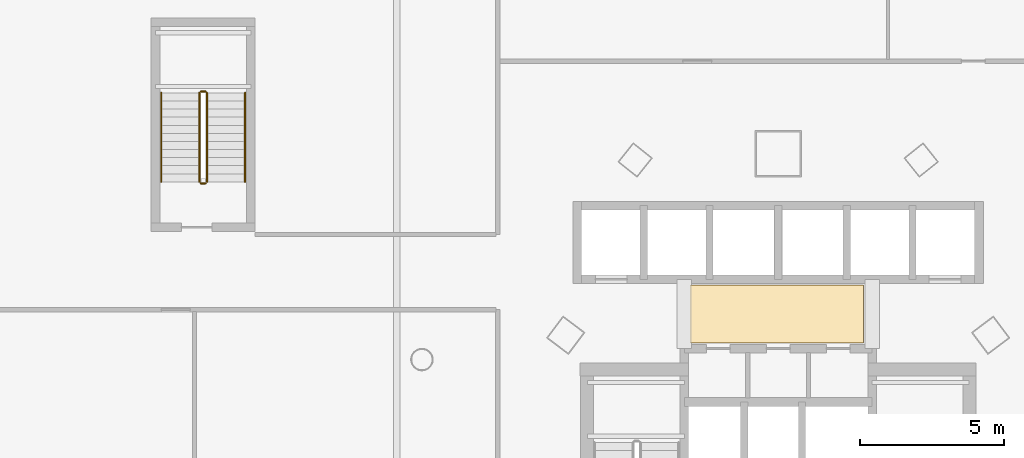
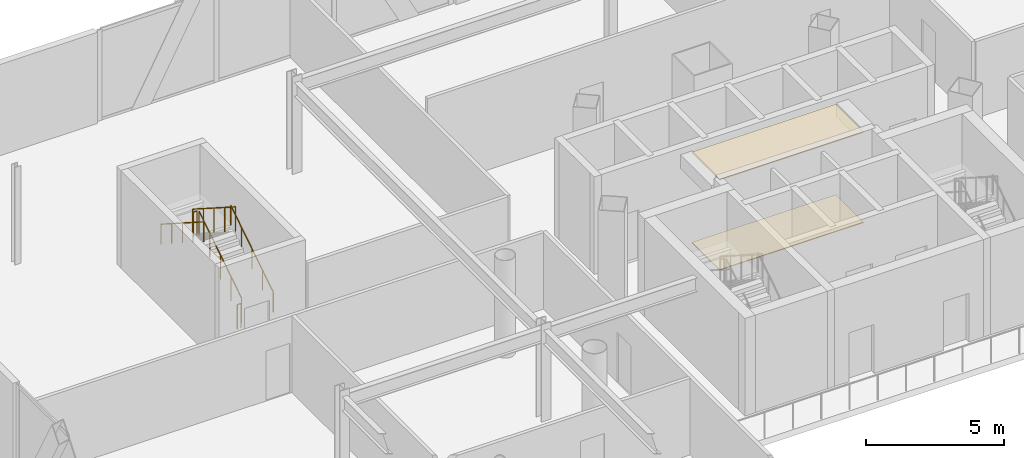
# One storey, part 40 of 42: 6 railings, 2 coverings.
"""IFC4 building model written with IfcOpenShell, lengths in metres."""

from ifc_helpers import new_model, si_unit, direction, frame, origin, origin_2d, place, context, subcontext, project, spatial, polyline, circle, outline, extrude, material, layer, layer_set, type_object, element, save


model = new_model("IFC4")

# Units and contexts
model_context = context("Model", 3, precision=1e-05, world=origin(), true_north=direction((0.0, 1.0)))
body_context = subcontext(model_context, "Body", "Model", "MODEL_VIEW")
ifc_project = project(units=[si_unit("LENGTHUNIT", "METRE"), si_unit("AREAUNIT", "SQUARE_METRE"), si_unit("VOLUMEUNIT", "CUBIC_METRE"), si_unit("PLANEANGLEUNIT", "RADIAN"), si_unit("MASSUNIT", "GRAM", prefix="KILO")], contexts=[model_context])

# Site, building, storey
site_placement = place(None, origin())
site = spatial("IfcSite", under=ifc_project, at=site_placement, CompositionType="ELEMENT")
building_placement = place(site_placement, origin())
building = spatial("IfcBuilding", under=site, at=building_placement, Name="Orvanel Arch Residences", CompositionType="ELEMENT")
storey_placement = place(building_placement, frame((0.0, 0.0, 9.800048828125)))
storey = spatial("IfcBuildingStorey", under=building, at=storey_placement, Name="L02", CompositionType="ELEMENT", Elevation=9.800048828125)

# Coverings
ifc_material_1 = material(Name="Perforated acoustic mineral-fibre ceiling tile", Category="gypsum")
ifc_layer_1 = layer(ifc_material_1, 0.050048828125)
ifc_layer_set_1 = layer_set([ifc_layer_1], Name="Perforated acoustic mineral-fibre ceiling tile")
covering_type_1 = type_object("IfcCoveringType", Name="COV-CLG-ACS50", PredefinedType="CEILING", material=ifc_layer_set_1)
covering_1_placement = place(storey_placement, frame((0.0, 0.0, 3.969970703125)))
element("IfcCovering", 1, at=covering_1_placement, inside=storey, type_object=covering_type_1, Name="L02 Lift Lobby Acoustic Ceiling", PredefinedType="CEILING", context=body_context, shape_type="SweptSolid", body=[
    extrude(outline(polyline([(29.949951171875, 34.85009765625), (35.949951171875, 34.85009765625), (35.949951171875, 36.85009765625), (29.949951171875, 36.85009765625), (29.949951171875, 34.85009765625)])), origin(), (0.0, 0.0, 1.0), 0.050048828125),
])
ifc_material_2 = material(Name="Honed cementitious terrazzo floor finish", Category="concrete")
ifc_layer_2 = layer(ifc_material_2, 0.034912109375)
ifc_layer_set_2 = layer_set([ifc_layer_2], Name="Honed cementitious terrazzo floor finish")
covering_type_2 = type_object("IfcCoveringType", Name="COV-FLR-TRZ35", PredefinedType="FLOORING", material=ifc_layer_set_2)
covering_2_placement = place(storey_placement, origin())
element("IfcCovering", 2, at=covering_2_placement, inside=storey, type_object=covering_type_2, Name="L02 Lift Lobby Terrazzo Flooring", PredefinedType="FLOORING", context=body_context, shape_type="SweptSolid", body=[
    extrude(outline(polyline([(29.949951171875, 34.85009765625), (35.949951171875, 34.85009765625), (35.949951171875, 36.85009765625), (29.949951171875, 36.85009765625), (29.949951171875, 34.85009765625)])), origin(), (0.0, 0.0, 1.0), 0.034912109375),
])

# Railings
ifc_material_3 = material(Name="Structural steel AS/NZS 1163 C350L0 (Grade 350)", Category="steel")
railing_type_1 = type_object("IfcRailingType", Name="RL-STAIR-GUARD", PredefinedType="GUARDRAIL", material=ifc_material_3)
railing_1_placement = place(storey_placement, frame((13.22998046875, 40.419921875, 0.17919921875)))
element("IfcRailing", 3, at=railing_1_placement, inside=storey, type_object=railing_type_1, Name="L02 ST-3 stair guard 1", PredefinedType="GUARDRAIL", context=body_context, shape_type="SweptSolid", body=[
    extrude(circle(Radius=0.02392578125, at=origin_2d()), frame((0.0, 0.001220703125, 1.076904296875), z_axis=(0.0, 0.842339298311, 0.538947591627), x_axis=(-1.0, 0.0, 0.0)), (0.0, 0.0, 1.0), 3.653564453125),
    extrude(circle(Radius=0.02099609375, at=origin_2d()), origin(), (0.0, 0.0, 1.0), 1.050048828125),
    extrude(circle(Radius=0.02099609375, at=origin_2d()), frame((0.0, 0.77001953125, 0.49267578125)), (0.0, 0.0, 1.0), 1.050048828125),
    extrude(circle(Radius=0.02099609375, at=origin_2d()), frame((0.0, 1.5400390625, 0.9853515625)), (0.0, 0.0, 1.0), 1.050048828125),
    extrude(circle(Radius=0.02099609375, at=origin_2d()), frame((0.0, 2.31005859375, 1.47802734375)), (0.0, 0.0, 1.0), 1.050048828125),
    extrude(circle(Radius=0.02099609375, at=origin_2d()), frame((0.0, 3.080078125, 1.970703125)), (0.0, 0.0, 1.0), 1.050048828125),
])
railing_2_placement = place(storey_placement, frame((13.179931640625, 43.550048828125, 2.14990234375)))
element("IfcRailing", 4, at=railing_2_placement, inside=storey, type_object=railing_type_1, Name="L02 ST-3 stair guard 2", PredefinedType="GUARDRAIL", context=body_context, shape_type="SweptSolid", body=[
    extrude(circle(Radius=0.02392578125, at=origin_2d()), frame((-0.00146484375, 0.0, 1.076171875), z_axis=(-1.0, 0.0, 0.0), x_axis=(0.0, -1.0, 0.0)), (0.0, 0.0, 1.0), 0.156982421875),
    extrude(circle(Radius=0.02099609375, at=origin_2d()), origin(), (0.0, 0.0, 1.0), 1.050048828125),
    extrude(circle(Radius=0.02099609375, at=origin_2d()), frame((-0.159912109375, 0.0, 0.0)), (0.0, 0.0, 1.0), 1.050048828125),
])
railing_3_placement = place(storey_placement, frame((12.969970703125, 43.5, 2.3291015625)))
element("IfcRailing", 5, at=railing_3_placement, inside=storey, type_object=railing_type_1, Name="L02 ST-3 stair guard 3", PredefinedType="GUARDRAIL", context=body_context, shape_type="SweptSolid", body=[
    extrude(circle(Radius=0.02392578125, at=origin_2d()), frame((0.0, -0.001220703125, 1.076904296875), z_axis=(0.0, -0.842308987159, 0.53899496301), x_axis=(1.0, 0.0, 0.0)), (0.0, 0.0, 1.0), 3.65380859375),
    extrude(circle(Radius=0.02099609375, at=origin_2d()), origin(), (0.0, 0.0, 1.0), 1.050048828125),
    extrude(circle(Radius=0.02099609375, at=origin_2d()), frame((0.0, -0.77001953125, 0.49267578125)), (0.0, 0.0, 1.0), 1.050048828125),
    extrude(circle(Radius=0.02099609375, at=origin_2d()), frame((0.0, -1.5400390625, 0.9853515625)), (0.0, 0.0, 1.0), 1.050048828125),
    extrude(circle(Radius=0.02099609375, at=origin_2d()), frame((0.0, -2.31005859375, 1.478271484375)), (0.0, 0.0, 1.0), 1.050048828125),
    extrude(circle(Radius=0.02099609375, at=origin_2d()), frame((0.0, -3.080078125, 1.970947265625)), (0.0, 0.0, 1.0), 1.050048828125),
])
railing_4_placement = place(storey_placement, frame((13.179931640625, 40.3701171875, 0.0)))
element("IfcRailing", 6, at=railing_4_placement, inside=storey, type_object=railing_type_1, Name="L02 ST-3 stair guard 4", PredefinedType="GUARDRAIL", context=body_context, shape_type="SweptSolid", body=[
    extrude(circle(Radius=0.02392578125, at=origin_2d()), frame((-0.00146484375, 0.0, 1.076171875), z_axis=(-1.0, 0.0, 0.0), x_axis=(0.0, -1.0, 0.0)), (0.0, 0.0, 1.0), 0.156982421875),
    extrude(circle(Radius=0.02099609375, at=origin_2d()), origin(), (0.0, 0.0, 1.0), 1.050048828125),
    extrude(circle(Radius=0.02099609375, at=origin_2d()), frame((-0.159912109375, 0.0, 0.0)), (0.0, 0.0, 1.0), 1.050048828125),
])
railing_type_2 = type_object("IfcRailingType", Name="RL-STAIR-HAND", PredefinedType="HANDRAIL", material=ifc_material_3)
railing_5_placement = place(storey_placement, frame((14.550048828125, 40.419921875, 0.17919921875)))
element("IfcRailing", 7, at=railing_5_placement, inside=storey, type_object=railing_type_2, Name="L02 ST-3 stair handrail 1", PredefinedType="HANDRAIL", context=body_context, shape_type="SweptSolid", body=[
    extrude(circle(Radius=0.02392578125, at=origin_2d()), frame((0.0, 0.001220703125, 0.876708984375), z_axis=(0.0, 0.842339298311, 0.538947591627), x_axis=(-1.0, 0.0, 0.0)), (0.0, 0.0, 1.0), 3.653564453125),
    extrude(circle(Radius=0.02099609375, at=origin_2d()), origin(), (0.0, 0.0, 1.0), 0.849853515625),
    extrude(circle(Radius=0.02099609375, at=origin_2d()), frame((0.0, 0.77001953125, 0.49267578125)), (0.0, 0.0, 1.0), 0.849853515625),
    extrude(circle(Radius=0.02099609375, at=origin_2d()), frame((0.0, 1.5400390625, 0.9853515625)), (0.0, 0.0, 1.0), 0.849853515625),
    extrude(circle(Radius=0.02099609375, at=origin_2d()), frame((0.0, 2.31005859375, 1.47802734375)), (0.0, 0.0, 1.0), 0.849853515625),
    extrude(circle(Radius=0.02099609375, at=origin_2d()), frame((0.0, 3.080078125, 1.970703125)), (0.0, 0.0, 1.0), 0.849853515625),
])
railing_6_placement = place(storey_placement, frame((11.64990234375, 43.5, 2.3291015625)))
element("IfcRailing", 8, at=railing_6_placement, inside=storey, type_object=railing_type_2, Name="L02 ST-3 stair handrail 2", PredefinedType="HANDRAIL", context=body_context, shape_type="SweptSolid", body=[
    extrude(circle(Radius=0.02392578125, at=origin_2d()), frame((0.0, -0.001220703125, 0.876708984375), z_axis=(0.0, -0.842308987159, 0.53899496301), x_axis=(1.0, 0.0, 0.0)), (0.0, 0.0, 1.0), 3.65380859375),
    extrude(circle(Radius=0.02099609375, at=origin_2d()), origin(), (0.0, 0.0, 1.0), 0.849853515625),
    extrude(circle(Radius=0.02099609375, at=origin_2d()), frame((0.0, -0.77001953125, 0.49267578125)), (0.0, 0.0, 1.0), 0.849853515625),
    extrude(circle(Radius=0.02099609375, at=origin_2d()), frame((0.0, -1.5400390625, 0.9853515625)), (0.0, 0.0, 1.0), 0.849853515625),
    extrude(circle(Radius=0.02099609375, at=origin_2d()), frame((0.0, -2.31005859375, 1.478271484375)), (0.0, 0.0, 1.0), 0.849853515625),
    extrude(circle(Radius=0.02099609375, at=origin_2d()), frame((0.0, -3.080078125, 1.970947265625)), (0.0, 0.0, 1.0), 0.849853515625),
])

save(model, "model.ifc")
